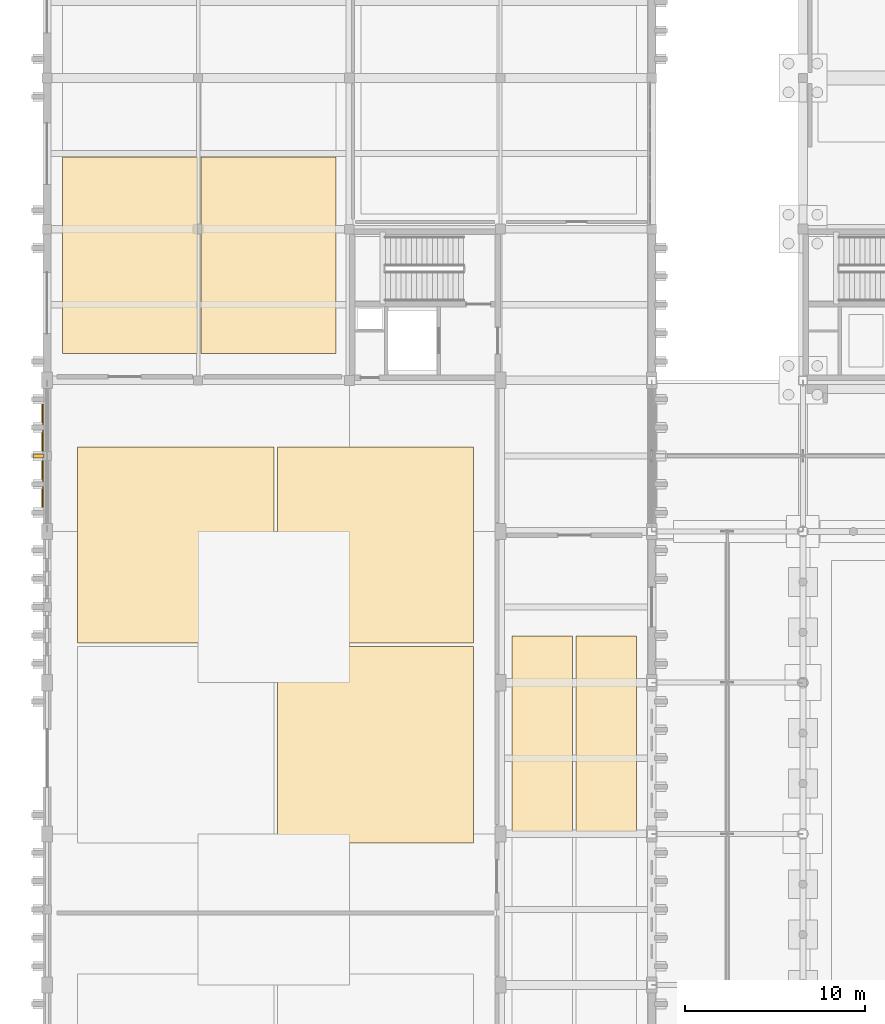
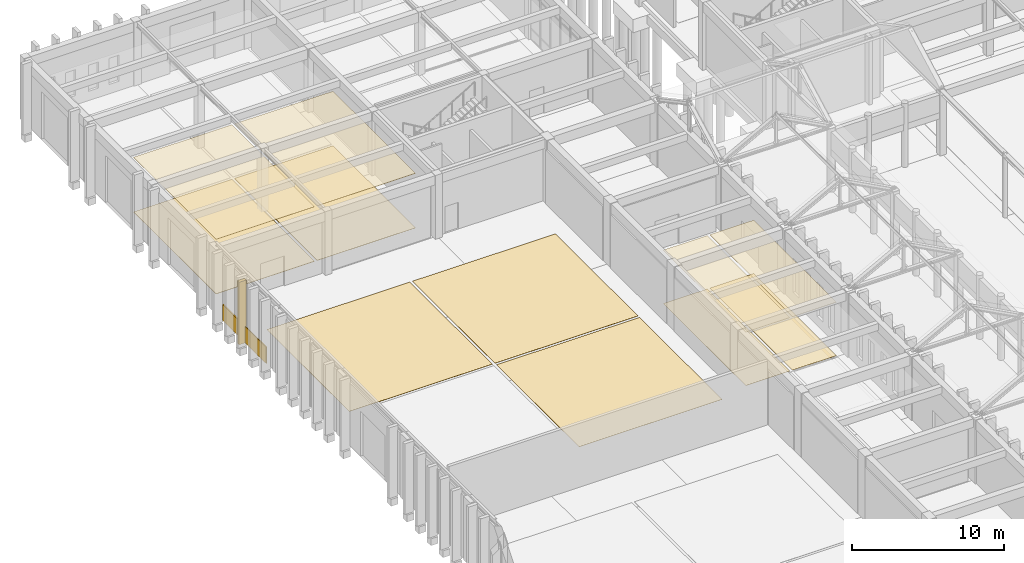
# One storey, part 135 of 143: 12 coverings, 1 shading device.
"""IFC4 building model written with IfcOpenShell, lengths in metres."""

from ifc_helpers import new_model, si_unit, direction, frame, origin, origin_2d, place, context, subcontext, project, spatial, rectangle, extrude, material, layer, layer_set, type_object, element, save


model = new_model("IFC4")

# Units and contexts
model_context = context("Model", 3, precision=1e-05, world=origin(), true_north=direction((0.0, 1.0)))
body_context = subcontext(model_context, "Body", "Model", "MODEL_VIEW")
ifc_project = project(units=[si_unit("LENGTHUNIT", "METRE"), si_unit("AREAUNIT", "SQUARE_METRE"), si_unit("VOLUMEUNIT", "CUBIC_METRE"), si_unit("PLANEANGLEUNIT", "RADIAN"), si_unit("MASSUNIT", "GRAM", prefix="KILO")], contexts=[model_context])

# Site, building, storey
site_placement = place(None, origin())
site = spatial("IfcSite", under=ifc_project, at=site_placement, CompositionType="ELEMENT")
building_placement = place(site_placement, origin())
building = spatial("IfcBuilding", under=site, at=building_placement, Name="Kveldsbrygga Polytechnic", CompositionType="ELEMENT")
storey_placement = place(building_placement, origin())
storey = spatial("IfcBuildingStorey", under=building, at=storey_placement, Name="L00", CompositionType="ELEMENT", Elevation=0.0)

# Coverings
ifc_material_1 = material(Name="Iddefjord granite ashlar", Category="masonry")
ifc_layer_1 = layer(ifc_material_1, 0.080078125)
ifc_layer_set_1 = layer_set([ifc_layer_1], Name="Iddefjord granite ashlar")
covering_type_1 = type_object("IfcCoveringType", Name="CLD-GRAN-PLINTH", PredefinedType="CLADDING", material=ifc_layer_set_1)
covering_placement = place(storey_placement, frame((-0.248046875, 79.800048828125, 0.0), z_axis=(0.0, 0.0, 1.0), x_axis=(0.0, 1.0, 0.0)))
element("IfcCovering", 1, at=covering_placement, inside=storey, type_object=covering_type_1, Name="Granite Plinth Cladding Y-00-09", PredefinedType="CLADDING", context=body_context, shape_type="SweptSolid", body=[
    extrude(rectangle(XDim=5.72998046875, YDim=0.080078125, at=origin_2d()), origin(), (0.0, 0.0, 1.0), 1.300048828125),
])
ifc_material_2 = material(Name="Acoustic mineral baffle ceiling")
ifc_layer_2 = layer(ifc_material_2, 0.030029296875)
ifc_layer_set_2 = layer_set([ifc_layer_2], Name="Acoustic mineral baffle ceiling")
covering_type_2 = type_object("IfcCoveringType", Name="COV-CEIL-AC30", PredefinedType="CEILING", material=ifc_layer_set_2)
for number, where, z_axis, x_axis, name in (
    (2, (27.52490234375, 64.35009765625, 4.2900390625), (0.0, 0.0, 1.0), (1.0, 0.0, 0.0), "Acoustic Ceiling SP-L00-WKPREP-WN"),
    (3, (31.074951171875, 64.35009765625, 4.2900390625), (0.0, 0.0, 1.0), (1.0, 0.0, 0.0), "Acoustic Ceiling SP-L00-WKPREP-EN"),
):
    element("IfcCovering", number, at=place(storey_placement, frame(where, z_axis=z_axis, x_axis=x_axis)), inside=storey, type_object=covering_type_2, Name=name, PredefinedType="CEILING", context=body_context, shape_type="SweptSolid", body=[
        extrude(rectangle(XDim=3.35009765625, YDim=10.89990234375, at=origin_2d()), origin(), (0.0, 0.0, 1.0), 0.030029296875),
    ])
for number, where, z_axis, x_axis, name in (
    (4, (4.60009765625, 90.949951171875, 4.39013671875), (0.0, 0.0, 1.0), (1.0, 0.0, 0.0), "Acoustic Ceiling SP-L00-LOAD-WS"),
    (5, (12.300048828125, 90.949951171875, 4.39013671875), (0.0, 0.0, 1.0), (1.0, 0.0, 0.0), "Acoustic Ceiling SP-L00-LOAD-ES"),
):
    element("IfcCovering", number, at=place(storey_placement, frame(where, z_axis=z_axis, x_axis=x_axis)), inside=storey, type_object=covering_type_2, Name=name, PredefinedType="CEILING", context=body_context, shape_type="SweptSolid", body=[
        extrude(rectangle(XDim=7.5, YDim=10.89990234375, at=origin_2d()), origin(), (0.0, 0.0, 1.0), 0.030029296875),
    ])
ifc_material_3 = material(Name="Heavy-duty quartz-filled epoxy resin flooring")
ifc_layer_3 = layer(ifc_material_3, 0.014892578125)
ifc_layer_set_3 = layer_set([ifc_layer_3], Name="Heavy-duty quartz-filled epoxy resin flooring")
covering_type_3 = type_object("IfcCoveringType", Name="COV-FLR-EPX15", PredefinedType="FLOORING", material=ifc_layer_set_3)
for number, where, z_axis, x_axis, name in (
    (6, (7.14990234375, 74.85009765625, 0.0), (0.0, 0.0, 1.0), (1.0, 0.0, 0.0), "Room Flooring SP-L00-WK2-WN"),
    (7, (18.25, 63.75, 0.0), (0.0, 0.0, 1.0), (1.0, 0.0, 0.0), "Room Flooring SP-L00-WK2-ES"),
    (8, (18.25, 74.85009765625, 0.0), (0.0, 0.0, 1.0), (1.0, 0.0, 0.0), "Room Flooring SP-L00-WK2-EN"),
):
    element("IfcCovering", number, at=place(storey_placement, frame(where, z_axis=z_axis, x_axis=x_axis)), inside=storey, type_object=covering_type_3, Name=name, PredefinedType="FLOORING", context=body_context, shape_type="SweptSolid", body=[
        extrude(rectangle(XDim=10.89990234375, YDim=10.89990234375, at=origin_2d()), origin(), (0.0, 0.0, 1.0), 0.014892578125),
    ])
for number, where, z_axis, x_axis, name in (
    (9, (27.52490234375, 64.35009765625, 0.0), (0.0, 0.0, 1.0), (1.0, 0.0, 0.0), "Room Flooring SP-L00-WKPREP-WN"),
    (10, (31.074951171875, 64.35009765625, 0.0), (0.0, 0.0, 1.0), (1.0, 0.0, 0.0), "Room Flooring SP-L00-WKPREP-EN"),
):
    element("IfcCovering", number, at=place(storey_placement, frame(where, z_axis=z_axis, x_axis=x_axis)), inside=storey, type_object=covering_type_3, Name=name, PredefinedType="FLOORING", context=body_context, shape_type="SweptSolid", body=[
        extrude(rectangle(XDim=3.35009765625, YDim=10.89990234375, at=origin_2d()), origin(), (0.0, 0.0, 1.0), 0.014892578125),
    ])
ifc_material_4 = material(Name="Acoustic oak timber flooring", Category="wood")
ifc_layer_4 = layer(ifc_material_4, 0.02197265625)
ifc_layer_set_4 = layer_set([ifc_layer_4], Name="Acoustic oak timber flooring")
covering_type_4 = type_object("IfcCoveringType", Name="COV-FLR-OAK22", PredefinedType="FLOORING", material=ifc_layer_set_4)
for number, where, z_axis, x_axis, name in (
    (11, (4.60009765625, 90.949951171875, 0.0), (0.0, 0.0, 1.0), (1.0, 0.0, 0.0), "Room Flooring SP-L00-LOAD-WS"),
    (12, (12.300048828125, 90.949951171875, 0.0), (0.0, 0.0, 1.0), (1.0, 0.0, 0.0), "Room Flooring SP-L00-LOAD-ES"),
):
    element("IfcCovering", number, at=place(storey_placement, frame(where, z_axis=z_axis, x_axis=x_axis)), inside=storey, type_object=covering_type_4, Name=name, PredefinedType="FLOORING", context=body_context, shape_type="SweptSolid", body=[
        extrude(rectangle(XDim=7.5, YDim=10.89990234375, at=origin_2d()), origin(), (0.0, 0.0, 1.0), 0.02197265625),
    ])

# Shading device
ifc_material_5 = material(Name="Fired clay brick masonry M10", Category="masonry")
shading_device_type = type_object("IfcShadingDeviceType", Name="FIN-BRICK-550", PredefinedType="JALOUSIE", material=ifc_material_5)
shading_device_placement = place(storey_placement, frame((-0.48095703125, 79.800048828125, 0.0), z_axis=(0.0, 0.0, 1.0), x_axis=(0.0, 1.0, 0.0)))
element("IfcShadingDevice", 13, at=shading_device_placement, inside=storey, type_object=shading_device_type, Name="Brick Shading Fin L00-Y-00-09", PredefinedType="JALOUSIE", context=body_context, shape_type="SweptSolid", body=[
    extrude(rectangle(XDim=0.219970703125, YDim=0.550048828125, at=origin_2d()), origin(), (0.0, 0.0, 1.0), 5.0400390625),
])

save(model, "model.ifc")
